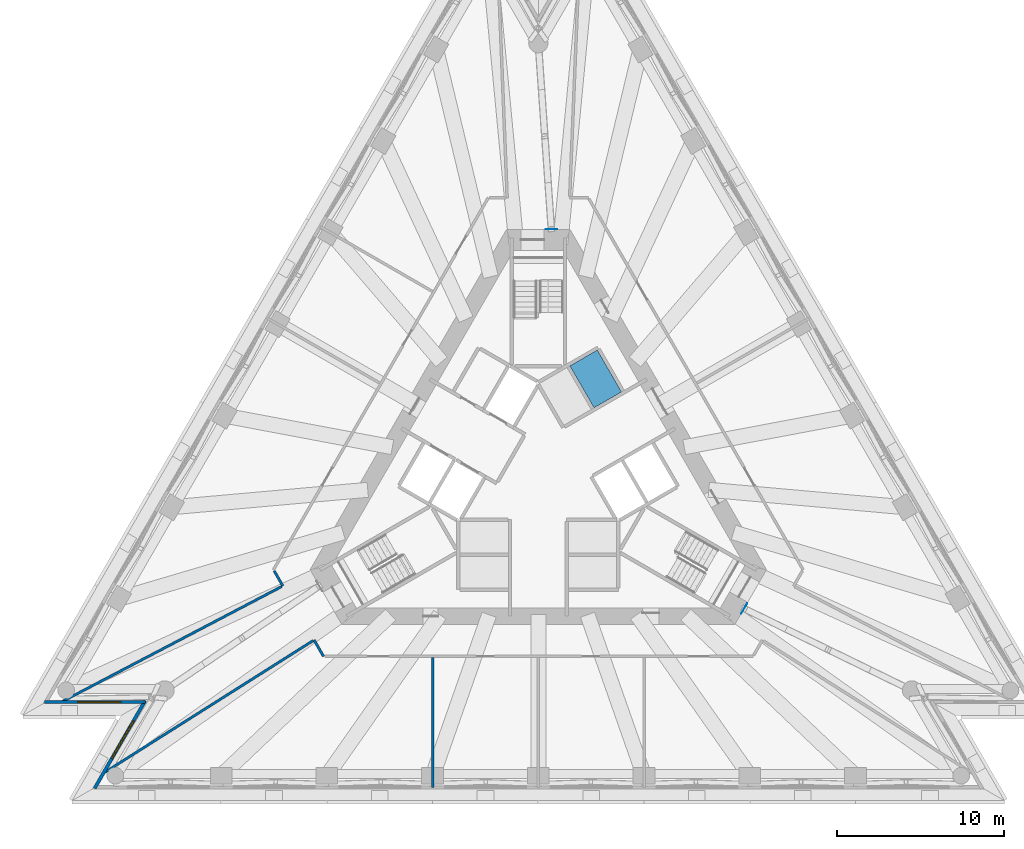
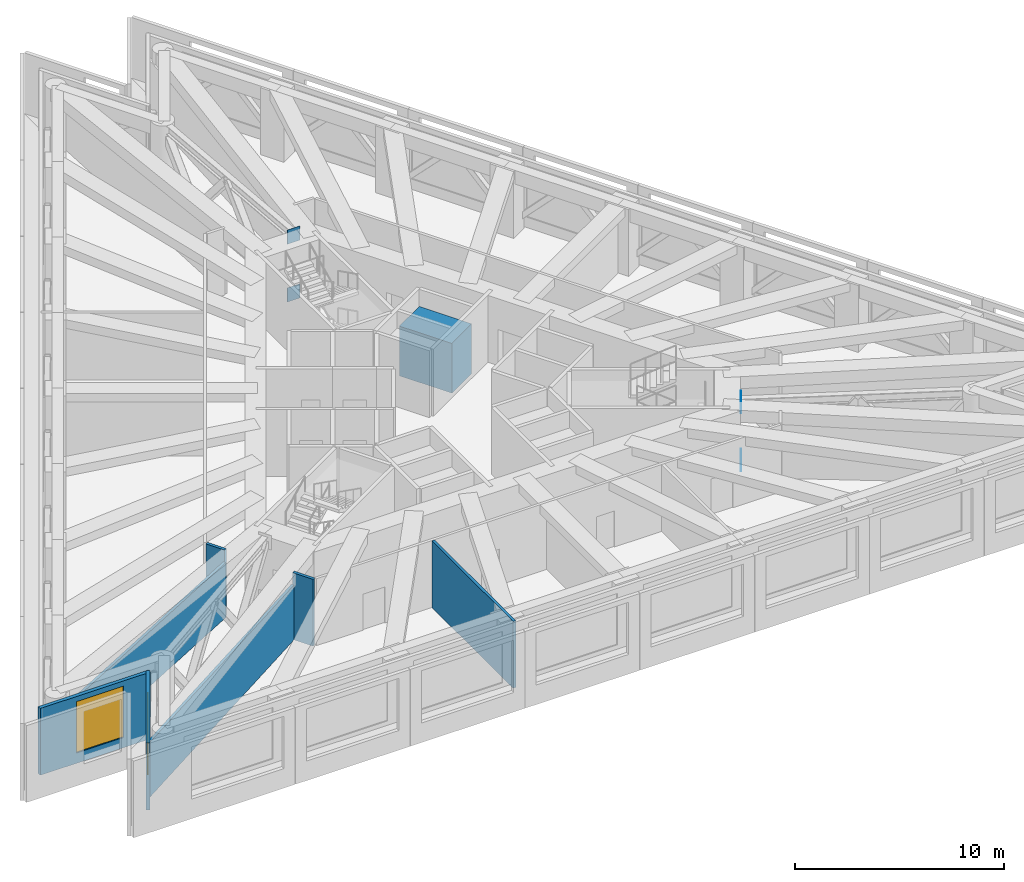
# One storey, part 5 of 12: 7 walls, 4 plates, 2 windows, 1 slab, 2 openings.
"""IFC4 building model written with IfcOpenShell, lengths in metres."""

from ifc_helpers import new_model, si_unit, direction, frame, frame_2d, origin, origin_2d, place, context, subcontext, project, spatial, polyline, rectangle, outline, extrude, material, layer, layer_set, layer_usage, type_object, element, fill, save


model = new_model("IFC4")

# Units and contexts
model_context = context("Model", 3, precision=1e-05, world=origin(), true_north=direction((0.0, 1.0)))
body_context = subcontext(model_context, "Body", "Model", "MODEL_VIEW")
ifc_project = project(units=[si_unit("LENGTHUNIT", "METRE"), si_unit("AREAUNIT", "SQUARE_METRE"), si_unit("VOLUMEUNIT", "CUBIC_METRE"), si_unit("PLANEANGLEUNIT", "RADIAN"), si_unit("MASSUNIT", "GRAM", prefix="KILO")], contexts=[model_context])

# Site, building, storey
site_placement = place(None, origin())
site = spatial("IfcSite", under=ifc_project, at=site_placement, CompositionType="ELEMENT")
building_placement = place(site_placement, origin())
building = spatial("IfcBuilding", under=site, at=building_placement, Name="Triada Interchange Tower", CompositionType="ELEMENT")
storey_placement = place(building_placement, frame((0.0, 0.0, 180.800048828125)))
storey = spatial("IfcBuildingStorey", under=building, at=storey_placement, Name="L42", CompositionType="ELEMENT", Elevation=180.800048828125)

# Slab
ifc_material_1 = material(Name="Concrete C30/37", Category="concrete")
ifc_layer_1 = layer(ifc_material_1, 0.300048828125)
ifc_layer_set_1 = layer_set([ifc_layer_1], Name="LIFT PIT SLAB 300")
slab_type = type_object("IfcSlabType", Name="LIFT PIT SLAB 300", PredefinedType="BASESLAB", material=ifc_layer_set_1)
slab_placement = place(storey_placement, origin())
element("IfcSlab", 1, at=slab_placement, inside=storey, type_object=slab_type, Name="Lift pit slab HR6", PredefinedType="BASESLAB", context=body_context, shape_type="SweptSolid", body=[
    extrude(outline(polyline([(3.5390625, 7.469970703125), (4.989013671875, 4.958984375), (3.343994140625, 4.009033203125), (1.89404296875, 6.52001953125), (3.5390625, 7.469970703125)])), origin(), (0.0, 0.0, 1.0), 2.89990234375),
])

# Plates
ifc_material_2 = material(Name="Steel S460M", Category="steel")
ifc_layer_2 = layer(ifc_material_2, 0.01806640625)
ifc_layer_set_2 = layer_set([ifc_layer_2], Name="Outrigger end plate 18")
plate_type = type_object("IfcPlateType", Name="Outrigger end plate 18", PredefinedType="SHEET", material=ifc_layer_set_2)
for number, where, z_axis, x_axis, name in (
    (2, (0.782958984375, 14.708984375, -0.14990234375), (0.0, 0.0, 1.0), (0.0, 1.0, 0.0), "Outrigger end plate N bottom L42"),
    (3, (0.782958984375, 14.708984375, 3.22607421875), (0.0, 0.0, 1.0), (0.0, 1.0, 0.0), "Outrigger end plate N top L42"),
    (4, (12.346923828125, -8.031982421875, -0.14990234375), (0.0, 0.0, 1.0), (0.866025403784, -0.5, 0.0), "Outrigger end plate SE bottom L42"),
    (5, (12.346923828125, -8.031982421875, 3.22607421875), (0.0, 0.0, 1.0), (0.866025403784, -0.5, 0.0), "Outrigger end plate SE top L42"),
):
    element("IfcPlate", number, at=place(storey_placement, frame(where, z_axis=z_axis, x_axis=x_axis)), inside=storey, type_object=plate_type, Name=name, PredefinedType="SHEET", context=body_context, shape_type="SweptSolid", body=[
        extrude(rectangle(XDim=0.01806640625, YDim=0.699951171875, at=origin_2d()), origin(), (0.0, 0.0, 1.0), 0.823974609375),
    ])

# Wall, opening, window
ifc_material_3 = material(Name="Cement board")
ifc_layer_3 = layer(ifc_material_3, 0.02001953125, Name="Cement board cladding")
ifc_material_4 = material(Name="Sheathing board")
ifc_layer_4 = layer(ifc_material_4, 0.014892578125, Name="Sheathing board")
ifc_material_5 = material(Name="Mineral wool")
ifc_layer_5 = layer(ifc_material_5, 0.14990234375, Name="Mineral wool between steel studs")
ifc_material_6 = material(Name="Gypsum board")
ifc_layer_6 = layer(ifc_material_6, 0.014892578125, Name="Plasterboard lining")
ifc_layer_set_3 = layer_set([ifc_layer_3, ifc_layer_4, ifc_layer_5, ifc_layer_6], Name="External wall 200")
ifc_layer_usage = layer_usage(ifc_layer_set_3, "AXIS2", "POSITIVE", -0.10009765625)
wall_type_1 = type_object("IfcWallType", Name="External wall 200", PredefinedType="ELEMENTEDWALL", material=ifc_layer_set_3)
wall_1_placement = place(storey_placement, frame((-29.614013671875, -13.634033203125, 0.0), z_axis=(0.0, 0.0, 1.0), x_axis=(1.0, 0.0, 0.0)))
wall_1 = element("IfcWall", 6, at=wall_1_placement, inside=storey, type_object=wall_type_1, material=ifc_layer_usage, Name="External wall L42 SW-1", PredefinedType="ELEMENTEDWALL", context=body_context, shape_type="SweptSolid", body=[
    extrude(rectangle(XDim=6.068115234375, YDim=0.199951171875, at=frame_2d((3.0341796875, 0.0))), origin(), (0.0, 0.0, 1.0), 3.89990234375),
])
opening_1_placement = place(wall_1_placement, frame((1.989990234375, 0.0, 0.60009765625)))
opening_1 = element("IfcOpeningElement", 7, at=opening_1_placement, cuts=wall_1, Name="Opening LB09", PredefinedType="OPENING", context=body_context, shape_type="SweptSolid", body=[
    extrude(rectangle(XDim=2.60009765625, YDim=3.0, at=frame_2d((1.300048828125, 1.5))), frame((0.0, 0.10986328125, 0.0), z_axis=(0.0, -1.0, 0.0), x_axis=(1.0, 0.0, 0.0)), (0.0, 0.0, 1.0), 0.219970703125),
])
ifc_material_7 = material(Name="Aluminium louvre", Category="aluminium")
window_type = type_object("IfcWindowType", Name="Plant louvre B pocket", PartitioningType="SINGLE_PANEL", PredefinedType="WINDOW", material=ifc_material_7)
window_1_placement = place(opening_1_placement, origin())
window_1 = element("IfcWindow", 8, at=window_1_placement, inside=storey, type_object=window_type, Name="Louvre L42 SW-1 1", OverallHeight=3.0, OverallWidth=2.60009765625, PartitioningType="SINGLE_PANEL", PredefinedType="WINDOW", context=body_context, shape_type="SweptSolid", body=[
    extrude(rectangle(XDim=2.60009765625, YDim=3.0, at=frame_2d((1.300048828125, 1.5))), frame((0.0, 0.030029296875, 0.0), z_axis=(0.0, -1.0, 0.0), x_axis=(1.0, 0.0, 0.0)), (0.0, 0.0, 1.0), 0.06005859375),
])
fill(opening_1, window_1)

wall_2_placement = place(storey_placement, frame((-23.571044921875, -13.555908203125, 0.0), z_axis=(0.0, 0.0, 1.0), x_axis=(-0.499916304465, -0.866073720032, 0.0)))
wall_2 = element("IfcWall", 9, at=wall_2_placement, inside=storey, type_object=wall_type_1, material=ifc_layer_usage, Name="External wall L42 SW-2", PredefinedType="ELEMENTEDWALL", context=body_context, shape_type="SweptSolid", body=[
    extrude(rectangle(XDim=6.06884765625, YDim=0.199951171875, at=frame_2d((3.034423828125, 0.0))), origin(), (0.0, 0.0, 1.0), 3.89990234375),
])
opening_2_placement = place(wall_2_placement, frame((1.389892578125, 0.0, 0.60009765625)))
opening_2 = element("IfcOpeningElement", 10, at=opening_2_placement, cuts=wall_2, Name="Opening LB10", PredefinedType="OPENING", context=body_context, shape_type="SweptSolid", body=[
    extrude(rectangle(XDim=2.60009765625, YDim=3.0, at=frame_2d((1.300048828125, 1.5))), frame((0.0, 0.10986328125, 0.0), z_axis=(0.0, -1.0, 0.0), x_axis=(1.0, 0.0, 0.0)), (0.0, 0.0, 1.0), 0.219970703125),
])
window_2_placement = place(opening_2_placement, origin())
window_2 = element("IfcWindow", 11, at=window_2_placement, inside=storey, type_object=window_type, Name="Louvre L42 SW-2 1", OverallHeight=3.0, OverallWidth=2.60009765625, PartitioningType="SINGLE_PANEL", PredefinedType="WINDOW", context=body_context, shape_type="SweptSolid", body=[
    extrude(rectangle(XDim=2.60009765625, YDim=3.0, at=frame_2d((1.300048828125, 1.5))), frame((0.0, 0.030029296875, 0.0), z_axis=(0.0, -1.0, 0.0), x_axis=(1.0, 0.0, 0.0)), (0.0, 0.0, 1.0), 0.06005859375),
])
fill(opening_2, window_2)

# Walls
ifc_material_8 = material(Name="Gypsum board partition")
ifc_layer_7 = layer(ifc_material_8, 0.14990234375)
ifc_layer_set_4 = layer_set([ifc_layer_7], Name="PARTITION 150 EI 180")
wall_type_2 = type_object("IfcWallType", Name="PARTITION 150 EI 180", PredefinedType="PARTITIONING", material=ifc_layer_set_4)
wall_3_placement = place(storey_placement, frame((-15.833984375, -5.77490234375, 0.0), z_axis=(0.0, 0.0, 1.0), x_axis=(0.499634122846, -0.866236540033, 0.0)))
element("IfcWall", 12, at=wall_3_placement, inside=storey, type_object=wall_type_2, Name="Wall L42 2", PredefinedType="PARTITIONING", context=body_context, shape_type="SweptSolid", body=[
    extrude(rectangle(XDim=1.036865234375, YDim=0.14990234375, at=frame_2d((0.5185546875, 0.0))), origin(), (0.0, 0.0, 1.0), 3.89990234375),
])
wall_4_placement = place(storey_placement, frame((-13.443115234375, -9.9150390625, 0.0), z_axis=(0.0, 0.0, 1.0), x_axis=(0.499672881641, -0.866214183301, 0.0)))
element("IfcWall", 13, at=wall_4_placement, inside=storey, type_object=wall_type_2, Name="Wall L42 3", PredefinedType="PARTITIONING", context=body_context, shape_type="SweptSolid", body=[
    extrude(rectangle(XDim=1.136962890625, YDim=0.14990234375, at=frame_2d((0.568359375, 0.0))), origin(), (0.0, 0.0, 1.0), 3.89990234375),
])
wall_5_placement = place(storey_placement, frame((-28.59912109375, -13.634033203125, 0.0), z_axis=(0.0, 0.0, 1.0), x_axis=(0.885727117854, 0.464206282485, 0.0)))
element("IfcWall", 14, at=wall_5_placement, inside=storey, type_object=wall_type_2, Name="Wall L42 4", PredefinedType="PARTITIONING", context=body_context, shape_type="SweptSolid", body=[
    extrude(rectangle(XDim=14.92236328125, YDim=0.14990234375, at=frame_2d((7.461181640625, 0.0))), origin(), (0.0, 0.0, 1.0), 3.199951171875),
])
wall_6_placement = place(storey_placement, frame((-26.080078125, -17.903076171875, 0.0), z_axis=(0.0, 0.0, 1.0), x_axis=(0.845301244448, 0.534290001904, 0.0)))
element("IfcWall", 15, at=wall_6_placement, inside=storey, type_object=wall_type_2, Name="Wall L42 5", PredefinedType="PARTITIONING", context=body_context, shape_type="SweptSolid", body=[
    extrude(rectangle(XDim=14.8740234375, YDim=0.14990234375, at=frame_2d((7.43701171875, 0.0))), origin(), (0.0, 0.0, 1.0), 3.199951171875),
])
wall_7_placement = place(storey_placement, frame((-6.339111328125, -18.7509765625, 0.0), z_axis=(0.0, 0.0, 1.0), x_axis=(0.0, 1.0, 0.0)))
element("IfcWall", 16, at=wall_7_placement, inside=storey, type_object=wall_type_2, Name="Wall L42 9", PredefinedType="PARTITIONING", context=body_context, shape_type="SweptSolid", body=[
    extrude(rectangle(XDim=7.77587890625, YDim=0.14990234375, at=frame_2d((3.887939453125, 0.0))), origin(), (0.0, 0.0, 1.0), 3.89990234375),
])

save(model, "model.ifc")
